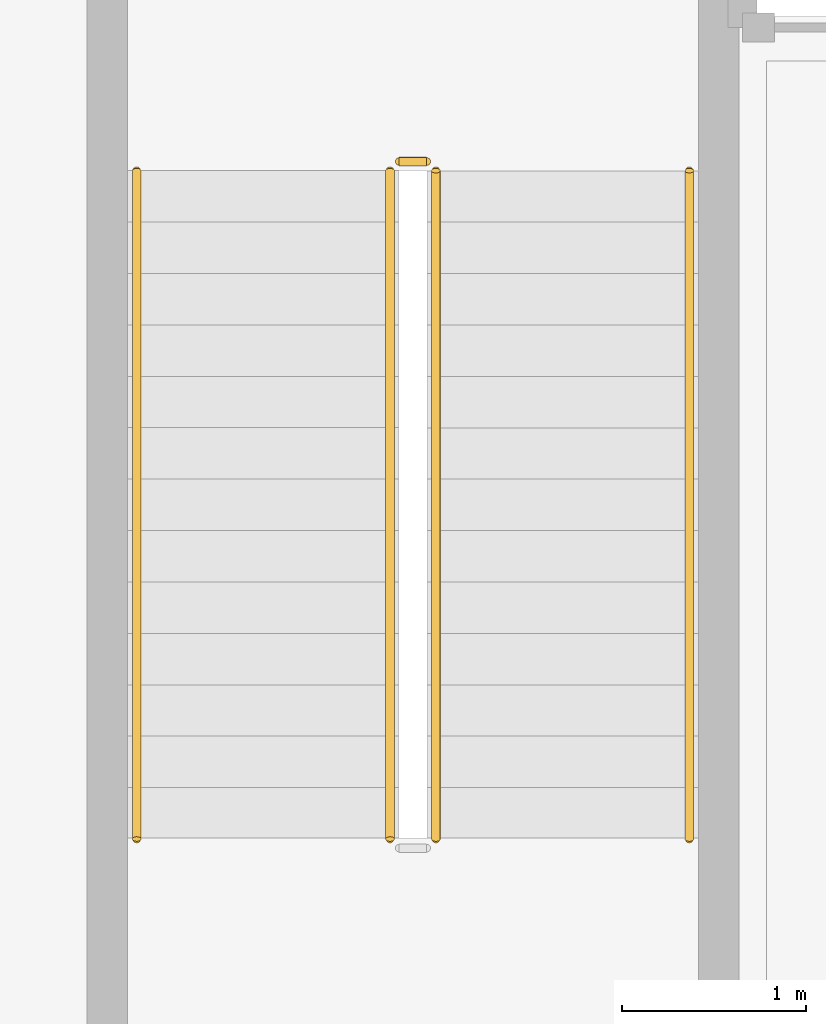
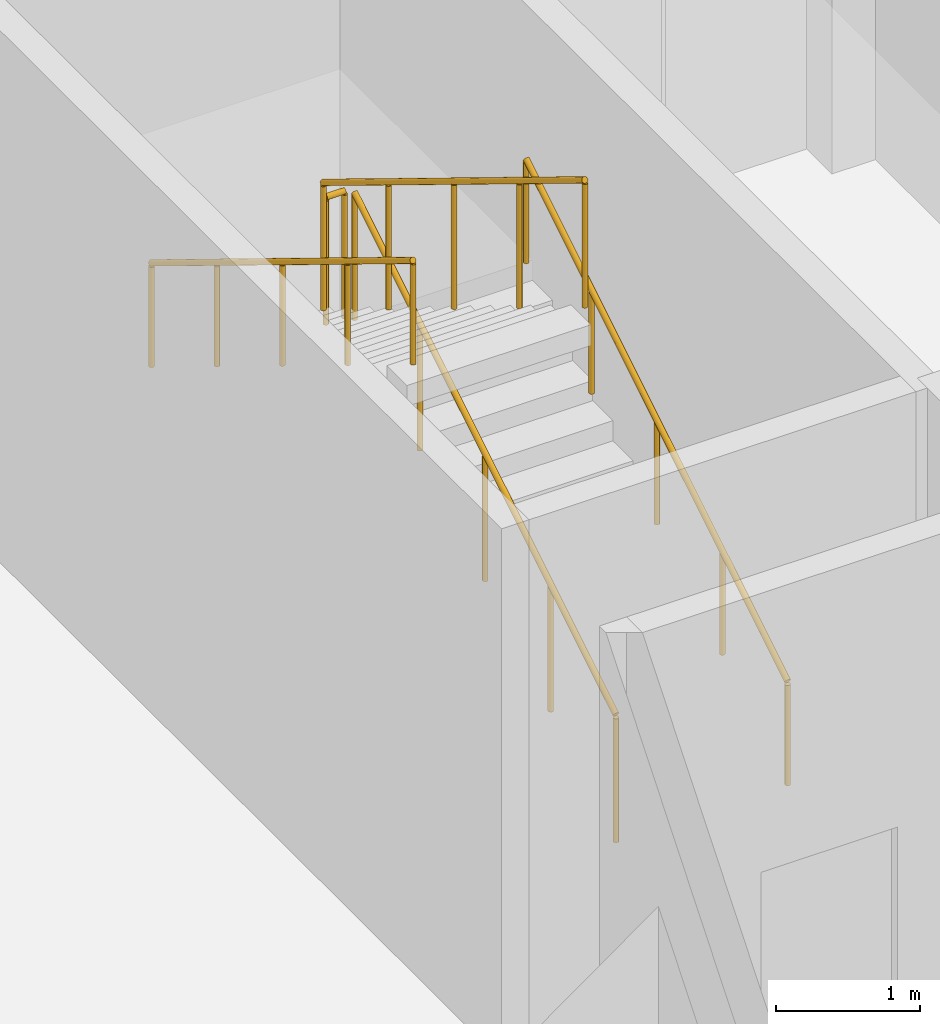
# One storey, part 10 of 10: 5 railings.
"""IFC4 building model written with IfcOpenShell, lengths in metres."""

from ifc_helpers import new_model, si_unit, direction, frame, origin, origin_2d, place, context, subcontext, project, spatial, circle, extrude, material, type_object, element, save


model = new_model("IFC4")

# Units and contexts
model_context = context("Model", 3, precision=1e-05, world=origin(), true_north=direction((0.0, 1.0)))
body_context = subcontext(model_context, "Body", "Model", "MODEL_VIEW")
ifc_project = project(units=[si_unit("LENGTHUNIT", "METRE"), si_unit("AREAUNIT", "SQUARE_METRE"), si_unit("VOLUMEUNIT", "CUBIC_METRE"), si_unit("PLANEANGLEUNIT", "RADIAN"), si_unit("MASSUNIT", "GRAM", prefix="KILO")], contexts=[model_context])

# Site, building, storey
site_placement = place(None, origin())
site = spatial("IfcSite", under=ifc_project, at=site_placement, CompositionType="ELEMENT")
building_placement = place(site_placement, origin())
building = spatial("IfcBuilding", under=site, at=building_placement, Name="Valdorenza Pilgrim Sanctuary Tower", CompositionType="ELEMENT")
storey_placement = place(building_placement, frame((0.0, 0.0, -4.800048828125)))
storey = spatial("IfcBuildingStorey", under=building, at=storey_placement, Name="B01", CompositionType="ELEMENT", Elevation=-4.800048828125)

# Railings
ifc_material_1 = material(Name="Stainless steel Grade 316", Category="steel")
railing_type_1 = type_object("IfcRailingType", Name="RLG-GRD-1120", PredefinedType="GUARDRAIL", material=ifc_material_1)
railing_1_placement = place(storey_placement, frame((18.679931640625, 2.3798828125, 0.17138671875)))
element("IfcRailing", 1, at=railing_1_placement, inside=storey, type_object=railing_type_1, Name="B01 ST-B1 stair guard 1", PredefinedType="GUARDRAIL", context=body_context, shape_type="SweptSolid", body=[
    extrude(circle(Radius=0.02392578125, at=origin_2d()), frame((0.0, 0.0, 1.076171875), z_axis=(0.0, 0.852840387347, 0.522171689878), x_axis=(-1.0, 0.0, 0.0)), (0.0, 0.0, 1.0), 4.268310546875),
    extrude(circle(Radius=0.02099609375, at=origin_2d()), origin(), (0.0, 0.0, 1.0), 1.052001953125),
    extrude(circle(Radius=0.02099609375, at=origin_2d()), frame((0.0, 0.91015625, 0.55712890625)), (0.0, 0.0, 1.0), 1.052001953125),
    extrude(circle(Radius=0.02099609375, at=origin_2d()), frame((0.0, 1.820068359375, 1.1142578125)), (0.0, 0.0, 1.0), 1.052001953125),
    extrude(circle(Radius=0.02099609375, at=origin_2d()), frame((0.0, 2.72998046875, 1.671630859375)), (0.0, 0.0, 1.0), 1.052001953125),
    extrude(circle(Radius=0.02099609375, at=origin_2d()), frame((0.0, 3.64013671875, 2.228759765625)), (0.0, 0.0, 1.0), 1.052001953125),
])
railing_2_placement = place(storey_placement, frame((18.6298828125, 6.070068359375, 2.400146484375)))
element("IfcRailing", 2, at=railing_2_placement, inside=storey, type_object=railing_type_1, Name="B01 ST-B1 stair guard 2", PredefinedType="GUARDRAIL", context=body_context, shape_type="SweptSolid", body=[
    extrude(circle(Radius=0.02392578125, at=origin_2d()), frame((0.0, 0.0, 1.076171875), z_axis=(-1.0, 0.0, 0.0), x_axis=(0.0, -1.0, 0.0)), (0.0, 0.0, 1.0), 0.14990234375),
    extrude(circle(Radius=0.02099609375, at=origin_2d()), origin(), (0.0, 0.0, 1.0), 1.052001953125),
    extrude(circle(Radius=0.02099609375, at=origin_2d()), frame((-0.14990234375, 0.0, 0.0)), (0.0, 0.0, 1.0), 1.052001953125),
])
railing_3_placement = place(storey_placement, frame((18.429931640625, 6.02001953125, 2.571533203125)))
element("IfcRailing", 3, at=railing_3_placement, inside=storey, type_object=railing_type_1, Name="B01 ST-B1 stair guard 3", PredefinedType="GUARDRAIL", context=body_context, shape_type="SweptSolid", body=[
    extrude(circle(Radius=0.02392578125, at=origin_2d()), frame((0.0, 0.0, 1.076171875), z_axis=(0.0, -0.852865859571, 0.52213008492), x_axis=(1.0, 0.0, 0.0)), (0.0, 0.0, 1.0), 4.26806640625),
    extrude(circle(Radius=0.02099609375, at=origin_2d()), origin(), (0.0, 0.0, 1.0), 1.052001953125),
    extrude(circle(Radius=0.02099609375, at=origin_2d()), frame((0.0, -0.91015625, 0.55712890625)), (0.0, 0.0, 1.0), 1.052001953125),
    extrude(circle(Radius=0.02099609375, at=origin_2d()), frame((0.0, -1.820068359375, 1.1142578125)), (0.0, 0.0, 1.0), 1.052001953125),
    extrude(circle(Radius=0.02099609375, at=origin_2d()), frame((0.0, -2.72998046875, 1.67138671875)), (0.0, 0.0, 1.0), 1.052001953125),
    extrude(circle(Radius=0.02099609375, at=origin_2d()), frame((0.0, -3.64013671875, 2.228515625)), (0.0, 0.0, 1.0), 1.052001953125),
])
ifc_material_2 = material(Name="Brushed stainless steel Grade 316", Category="steel")
railing_type_2 = type_object("IfcRailingType", Name="RLG-HND-920", PredefinedType="HANDRAIL", material=ifc_material_2)
railing_4_placement = place(storey_placement, frame((20.06005859375, 2.3798828125, 0.17138671875)))
element("IfcRailing", 4, at=railing_4_placement, inside=storey, type_object=railing_type_2, Name="B01 ST-B1 stair handrail 1", PredefinedType="HANDRAIL", context=body_context, shape_type="SweptSolid", body=[
    extrude(circle(Radius=0.02392578125, at=origin_2d()), frame((0.0, 0.0, 0.8759765625), z_axis=(0.0, 0.852840387347, 0.522171689878), x_axis=(-1.0, 0.0, 0.0)), (0.0, 0.0, 1.0), 4.268310546875),
    extrude(circle(Radius=0.02099609375, at=origin_2d()), origin(), (0.0, 0.0, 1.0), 0.851806640625),
    extrude(circle(Radius=0.02099609375, at=origin_2d()), frame((0.0, 0.91015625, 0.55712890625)), (0.0, 0.0, 1.0), 0.851806640625),
    extrude(circle(Radius=0.02099609375, at=origin_2d()), frame((0.0, 1.820068359375, 1.1142578125)), (0.0, 0.0, 1.0), 0.851806640625),
    extrude(circle(Radius=0.02099609375, at=origin_2d()), frame((0.0, 2.72998046875, 1.671630859375)), (0.0, 0.0, 1.0), 0.851806640625),
    extrude(circle(Radius=0.02099609375, at=origin_2d()), frame((0.0, 3.64013671875, 2.228759765625)), (0.0, 0.0, 1.0), 0.851806640625),
])
railing_5_placement = place(storey_placement, frame((17.050048828125, 6.02001953125, 2.571533203125)))
element("IfcRailing", 5, at=railing_5_placement, inside=storey, type_object=railing_type_2, Name="B01 ST-B1 stair handrail 2", PredefinedType="HANDRAIL", context=body_context, shape_type="SweptSolid", body=[
    extrude(circle(Radius=0.02392578125, at=origin_2d()), frame((0.0, 0.0, 0.8759765625), z_axis=(0.0, -0.852865859571, 0.52213008492), x_axis=(1.0, 0.0, 0.0)), (0.0, 0.0, 1.0), 4.26806640625),
    extrude(circle(Radius=0.02099609375, at=origin_2d()), origin(), (0.0, 0.0, 1.0), 0.851806640625),
    extrude(circle(Radius=0.02099609375, at=origin_2d()), frame((0.0, -0.91015625, 0.55712890625)), (0.0, 0.0, 1.0), 0.851806640625),
    extrude(circle(Radius=0.02099609375, at=origin_2d()), frame((0.0, -1.820068359375, 1.1142578125)), (0.0, 0.0, 1.0), 0.851806640625),
    extrude(circle(Radius=0.02099609375, at=origin_2d()), frame((0.0, -2.72998046875, 1.67138671875)), (0.0, 0.0, 1.0), 0.851806640625),
    extrude(circle(Radius=0.02099609375, at=origin_2d()), frame((0.0, -3.64013671875, 2.228515625)), (0.0, 0.0, 1.0), 0.851806640625),
])

save(model, "model.ifc")
